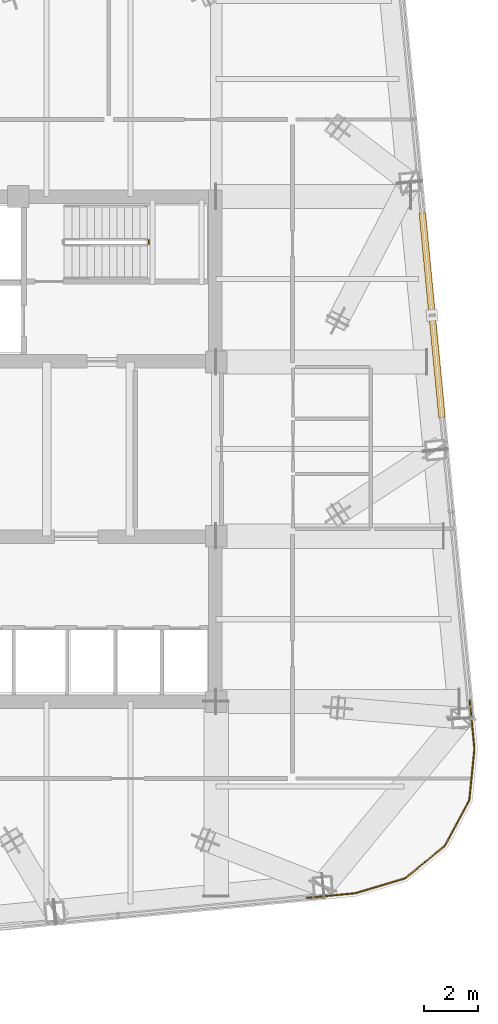
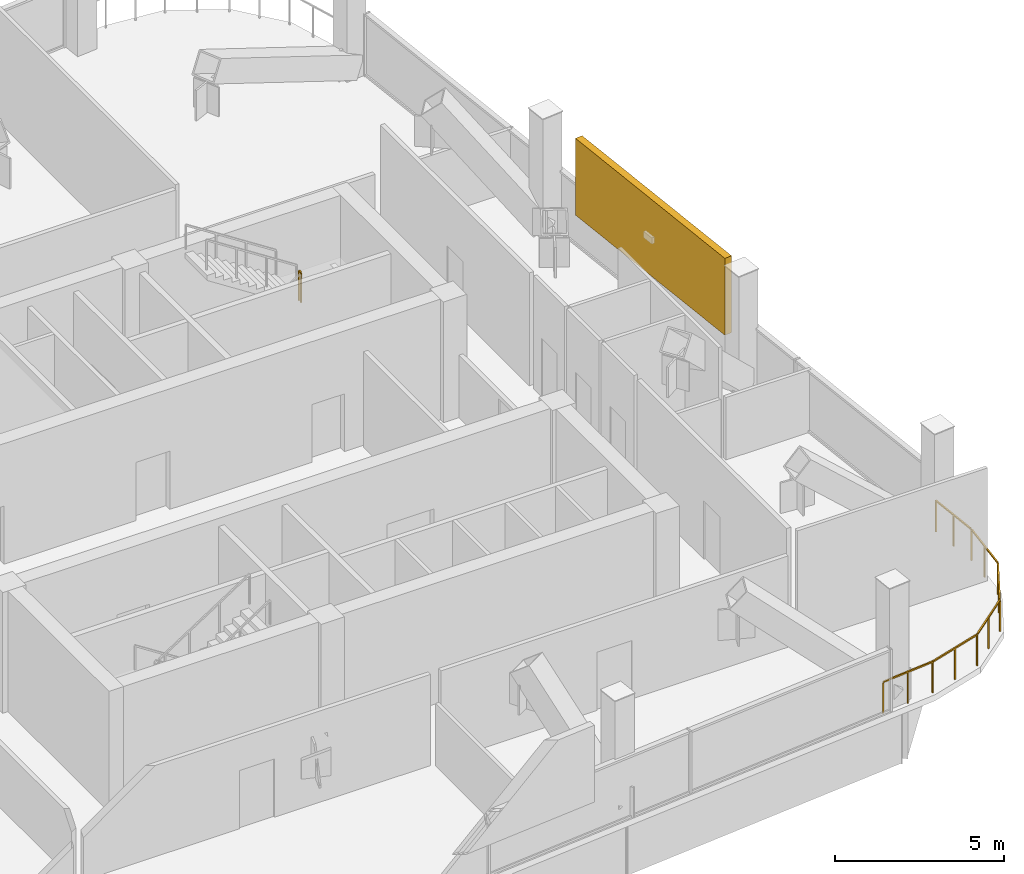
# One storey, part 21 of 22: 3 railings, 1 shading device.
"""IFC4 building model written with IfcOpenShell, lengths in metres."""

from ifc_helpers import new_model, si_unit, direction, frame, origin, origin_2d, place, context, subcontext, project, spatial, rectangle, extrude, material, type_object, element, save


model = new_model("IFC4")

# Units and contexts
model_context = context("Model", 3, precision=1e-05, world=origin(), true_north=direction((0.0, 1.0)))
body_context = subcontext(model_context, "Body", "Model", "MODEL_VIEW")
ifc_project = project(units=[si_unit("LENGTHUNIT", "METRE"), si_unit("AREAUNIT", "SQUARE_METRE"), si_unit("VOLUMEUNIT", "CUBIC_METRE"), si_unit("PLANEANGLEUNIT", "RADIAN"), si_unit("MASSUNIT", "GRAM", prefix="KILO")], contexts=[model_context])

# Site, building, storey
site_placement = place(None, origin())
site = spatial("IfcSite", under=ifc_project, at=site_placement, CompositionType="ELEMENT")
building_placement = place(site_placement, origin())
building = spatial("IfcBuilding", under=site, at=building_placement, Name="Qhalaya Broadcast Tower", CompositionType="ELEMENT")
storey_placement = place(building_placement, frame((0.0, 0.0, 183.60009765625)))
storey = spatial("IfcBuildingStorey", under=building, at=storey_placement, Name="L54", CompositionType="ELEMENT", Elevation=183.60009765625)

# Railings
ifc_material_1 = material(Name="Powder-Coated Galvanised Steel", Category="steel")
railing_type_1 = type_object("IfcRailingType", Name="Stair Well & Landing Guardrail 1100", PredefinedType="GUARDRAIL", material=ifc_material_1)
railing_1_placement = place(storey_placement, frame((6.8798828125, 8.199951171875, 2.1748046875)))
element("IfcRailing", 1, at=railing_1_placement, inside=storey, type_object=railing_type_1, Name="L54 ST-1 Stair Guard 2", PredefinedType="GUARDRAIL", context=body_context, shape_type="SweptSolid", body=[
    extrude(rectangle(XDim=0.048095703125, YDim=0.048095703125, at=origin_2d()), frame((0.0, 0.0, 1.076171875), z_axis=(0.0, 1.0, 0.0), x_axis=(-1.0, 0.0, 0.0)), (0.0, 0.0, 1.0), 0.1201171875),
    extrude(rectangle(XDim=0.0419921875, YDim=0.0419921875, at=origin_2d()), origin(), (0.0, 0.0, 1.0), 1.050048828125),
    extrude(rectangle(XDim=0.0419921875, YDim=0.0419921875, at=origin_2d()), frame((0.0, 0.1201171875, 0.0)), (0.0, 0.0, 1.0), 1.050048828125),
])
railing_type_2 = type_object("IfcRailingType", Name="Terrace, Sky-Pool & Lookout Glass Balustrade 1150", PredefinedType="BALUSTRADE", material=ifc_material_1)
railing_2_placement = place(storey_placement, frame((14.53955078125, -15.846435546875, 0.0)))
element("IfcRailing", 2, at=railing_2_placement, inside=storey, type_object=railing_type_2, Name="L54 Rounded Corner Perimeter Guard 01", PredefinedType="BALUSTRADE", context=body_context, shape_type="SweptSolid", body=[
    extrude(rectangle(XDim=0.048095703125, YDim=0.048095703125, at=origin_2d()), frame((0.0, 0.0, 1.1259765625), z_axis=(-0.995397133929, -0.095836035844, 0.0), x_axis=(0.095836035844, -0.995397133929, 0.0)), (0.0, 0.0, 1.0), 1.80615234375),
    extrude(rectangle(XDim=0.0419921875, YDim=0.0419921875, at=origin_2d()), origin(), (0.0, 0.0, 1.0), 1.099853515625),
    extrude(rectangle(XDim=0.0419921875, YDim=0.0419921875, at=origin_2d()), frame((-0.89892578125, -0.08642578125, 0.0)), (0.0, 0.0, 1.0), 1.099853515625),
    extrude(rectangle(XDim=0.0419921875, YDim=0.0419921875, at=origin_2d()), frame((-1.7978515625, -0.173095703125, 0.0)), (0.0, 0.0, 1.0), 1.099853515625),
])
railing_3_placement = place(storey_placement, frame((18.766845703125, -8.71044921875, 0.0)))
element("IfcRailing", 3, at=railing_3_placement, inside=storey, type_object=railing_type_2, Name="L54 Rounded Corner Perimeter Guard 05", PredefinedType="BALUSTRADE", context=body_context, shape_type="SweptSolid", body=[
    extrude(rectangle(XDim=0.048095703125, YDim=0.048095703125, at=origin_2d()), frame((0.0, 0.0, 1.1259765625), z_axis=(0.095836035844, -0.995397133929, 0.0), x_axis=(0.995397133929, 0.095836035844, 0.0)), (0.0, 0.0, 1.0), 1.77734375),
    extrude(rectangle(XDim=0.048095703125, YDim=0.048095703125, at=origin_2d()), frame((0.170166015625, -1.82666015625, 1.1259765625), z_axis=(-0.100197883148, -0.994967529225, 0.0), x_axis=(0.994967529225, -0.100197883148, 0.0)), (0.0, 0.0, 1.0), 1.857421875),
    extrude(rectangle(XDim=0.048095703125, YDim=0.048095703125, at=origin_2d()), frame((-0.032470703125, -3.728759765625, 1.1259765625), z_axis=(-0.473242797018, -0.880932037714, 0.0), x_axis=(0.880932037714, -0.473242797018, 0.0)), (0.0, 0.0, 1.0), 1.845458984375),
    extrude(rectangle(XDim=0.048095703125, YDim=0.048095703125, at=origin_2d()), frame((-0.94189453125, -5.398193359375, 1.1259765625), z_axis=(-0.774420039683, -0.632671796541, 0.0), x_axis=(0.632671796541, -0.774420039683, 0.0)), (0.0, 0.0, 1.0), 1.845458984375),
    extrude(rectangle(XDim=0.048095703125, YDim=0.048095703125, at=origin_2d()), frame((-2.4208984375, -6.59228515625, 1.1259765625), z_axis=(-0.95756627332, -0.288213171456, 0.0), x_axis=(0.288213171456, -0.95756627332, 0.0)), (0.0, 0.0, 1.0), 1.886474609375),
    extrude(rectangle(XDim=0.0419921875, YDim=0.0419921875, at=origin_2d()), origin(), (0.0, 0.0, 1.0), 1.099853515625),
    extrude(rectangle(XDim=0.0419921875, YDim=0.0419921875, at=origin_2d()), frame((0.08642578125, -0.89892578125, 0.0)), (0.0, 0.0, 1.0), 1.099853515625),
    extrude(rectangle(XDim=0.0419921875, YDim=0.0419921875, at=origin_2d()), frame((0.173095703125, -1.7978515625, 0.0)), (0.0, 0.0, 1.0), 1.099853515625),
    extrude(rectangle(XDim=0.0419921875, YDim=0.0419921875, at=origin_2d()), frame((0.0771484375, -2.75048828125, 0.0)), (0.0, 0.0, 1.0), 1.099853515625),
    extrude(rectangle(XDim=0.0419921875, YDim=0.0419921875, at=origin_2d()), frame((-0.018798828125, -3.703369140625, 0.0)), (0.0, 0.0, 1.0), 1.099853515625),
    extrude(rectangle(XDim=0.0419921875, YDim=0.0419921875, at=origin_2d()), frame((-0.46923828125, -4.54150390625, 0.0)), (0.0, 0.0, 1.0), 1.099853515625),
    extrude(rectangle(XDim=0.0419921875, YDim=0.0419921875, at=origin_2d()), frame((-0.91943359375, -5.3798828125, 0.0)), (0.0, 0.0, 1.0), 1.099853515625),
    extrude(rectangle(XDim=0.0419921875, YDim=0.0419921875, at=origin_2d()), frame((-1.65625, -5.98193359375, 0.0)), (0.0, 0.0, 1.0), 1.099853515625),
    extrude(rectangle(XDim=0.0419921875, YDim=0.0419921875, at=origin_2d()), frame((-2.393310546875, -6.583984375, 0.0)), (0.0, 0.0, 1.0), 1.099853515625),
    extrude(rectangle(XDim=0.0419921875, YDim=0.0419921875, at=origin_2d()), frame((-3.310302734375, -6.85986328125, 0.0)), (0.0, 0.0, 1.0), 1.099853515625),
    extrude(rectangle(XDim=0.0419921875, YDim=0.0419921875, at=origin_2d()), frame((-4.227294921875, -7.135986328125, 0.0)), (0.0, 0.0, 1.0), 1.099853515625),
])

# Shading device
ifc_material_2 = material(Name="Fired Architectural Terracotta", Category="masonry")
shading_device_type = type_object("IfcShadingDeviceType", Name="Terracotta Baguette Solar Screen Assembly TBS-01", PredefinedType="USERDEFINED", material=ifc_material_2)
shading_device_placement = place(storey_placement, frame((17.373291015625, 5.5537109375, 1.13916015625), z_axis=(0.0, 0.0, 1.0), x_axis=(-0.09584575252, 0.995396198367, 0.0)))
element("IfcShadingDevice", 4, at=shading_device_placement, inside=storey, type_object=shading_device_type, Name="L54 Fired Terracotta Baguette Screen E", ObjectType="BAGUETTE", PredefinedType="USERDEFINED", context=body_context, shape_type="SweptSolid", body=[
    extrude(rectangle(XDim=7.60009765625, YDim=0.239990234375, at=origin_2d()), origin(), (0.0, 0.0, 1.0), 2.76806640625),
])

save(model, "model.ifc")
